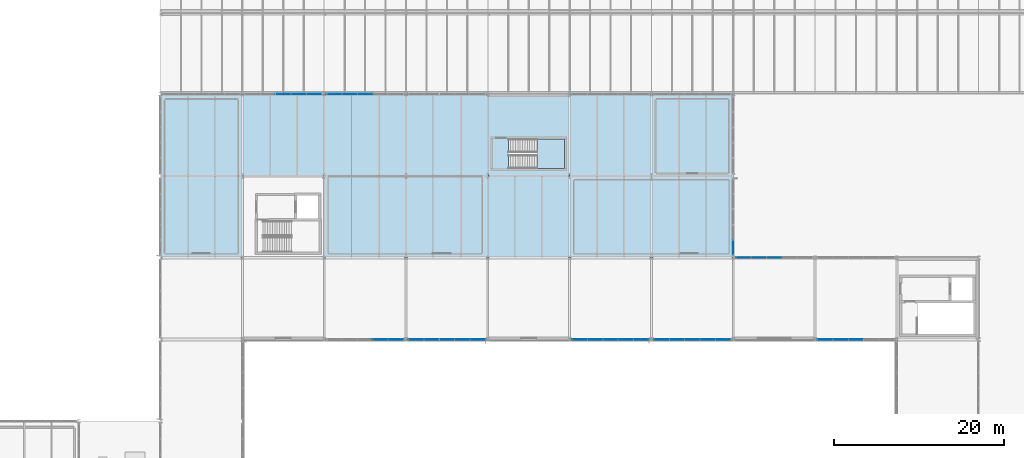
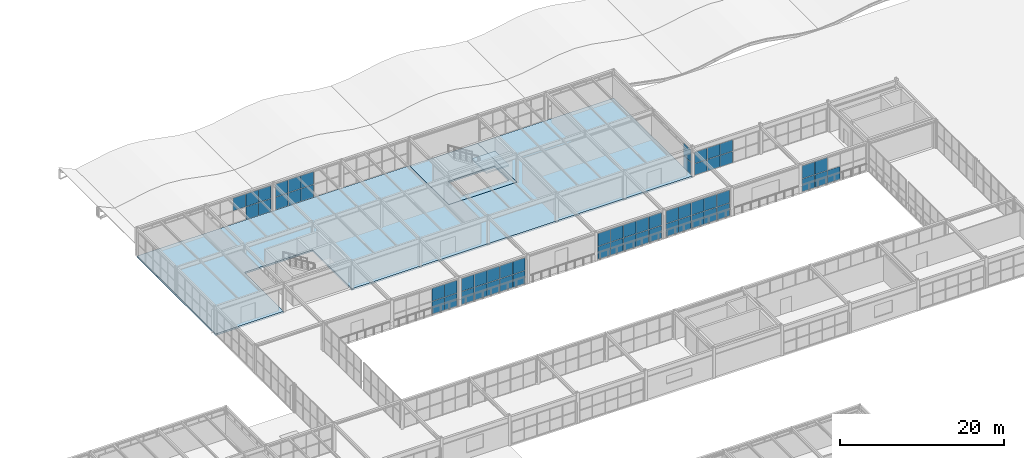
# One storey, part 139 of 170: 58 plates, 3 slabs, 10 elements without a shape of their own.
"""IFC4 building model written with IfcOpenShell, lengths in metres."""

from ifc_helpers import new_model, si_unit, direction, frame, origin, origin_2d, place, context, subcontext, project, spatial, polyline, rectangle, outline, extrude, material, layer, layer_set, type_object, element, aggregate, save


model = new_model("IFC4")

# Units and contexts
model_context = context("Model", 3, precision=1e-05, world=origin(), true_north=direction((0.0, 1.0)))
body_context = subcontext(model_context, "Body", "Model", "MODEL_VIEW")
ifc_project = project(units=[si_unit("LENGTHUNIT", "METRE"), si_unit("AREAUNIT", "SQUARE_METRE"), si_unit("VOLUMEUNIT", "CUBIC_METRE"), si_unit("PLANEANGLEUNIT", "RADIAN"), si_unit("MASSUNIT", "GRAM", prefix="KILO")], contexts=[model_context])

# Site, building, storey
site_placement = place(None, origin())
site = spatial("IfcSite", under=ifc_project, at=site_placement, CompositionType="ELEMENT")
building_placement = place(site_placement, origin())
building = spatial("IfcBuilding", under=site, at=building_placement, Name="Coralgate Yard Interchange", CompositionType="ELEMENT")
storey_placement = place(building_placement, frame((0.0, 0.0, 6.0)))
storey = spatial("IfcBuildingStorey", under=building, at=storey_placement, Name="L01", CompositionType="ELEMENT", Elevation=6.0)

# Curtain wall, plates
ifc_material_1 = material(Name="Anodised coastal aluminium and solar-control low-E glass", Category="aluminium")
curtain_wall_type_1 = type_object("IfcCurtainWallType", Name="CW-CW-L01-B", PredefinedType="NOTDEFINED", material=ifc_material_1)
curtain_wall_1_placement = place(storey_placement, origin())
curtain_wall_1 = element("IfcCurtainWall", 1, at=curtain_wall_1_placement, inside=storey, type_object=curtain_wall_type_1, Name="L01 unitised curtain wall CW-L01-N-05-09", PredefinedType="NOTDEFINED")
ifc_material_2 = material(Name="Solar-control double-glazed low-E glass unit", Category="glass")
ifc_layer_1 = layer(ifc_material_2, 0.031982421875)
ifc_layer_set_1 = layer_set([ifc_layer_1], Name="Solar-control double-glazed low-E glass unit")
plate_type = type_object("IfcPlateType", Name="PLT-CP-32", PredefinedType="CURTAIN_PANEL", material=ifc_layer_set_1)
plate_1_placement = place(storey_placement, frame((52.800048828125, 96.0, 1.97509765625), z_axis=(0.0, 0.0, 1.0), x_axis=(1.0, 0.0, 0.0)))
plate_1 = element("IfcPlate", 2, at=plate_1_placement, type_object=plate_type, Name="CW-L01-N-05-09 solar-control glazing panel 3-2", PredefinedType="CURTAIN_PANEL", context=body_context, shape_type="SweptSolid", body=[
    extrude(rectangle(XDim=1.75, YDim=0.031982421875, at=origin_2d()), origin(), (0.0, 0.0, 1.0), 1.89990234375),
])
plate_2_placement = place(storey_placement, frame((54.60009765625, 96.0, 0.025146484375), z_axis=(0.0, 0.0, 1.0), x_axis=(1.0, 0.0, 0.0)))
plate_2 = element("IfcPlate", 3, at=plate_2_placement, type_object=plate_type, Name="CW-L01-N-05-09 solar-control glazing panel 4-1", PredefinedType="CURTAIN_PANEL", context=body_context, shape_type="SweptSolid", body=[
    extrude(rectangle(XDim=1.75, YDim=0.031982421875, at=origin_2d()), origin(), (0.0, 0.0, 1.0), 1.89990234375),
])
plate_3_placement = place(storey_placement, frame((54.60009765625, 96.0, 1.97509765625), z_axis=(0.0, 0.0, 1.0), x_axis=(1.0, 0.0, 0.0)))
plate_3 = element("IfcPlate", 4, at=plate_3_placement, type_object=plate_type, Name="CW-L01-N-05-09 solar-control glazing panel 4-2", PredefinedType="CURTAIN_PANEL", context=body_context, shape_type="SweptSolid", body=[
    extrude(rectangle(XDim=1.75, YDim=0.031982421875, at=origin_2d()), origin(), (0.0, 0.0, 1.0), 1.89990234375),
])
plate_4_placement = place(storey_placement, frame((56.39990234375, 96.0, 0.025146484375), z_axis=(0.0, 0.0, 1.0), x_axis=(1.0, 0.0, 0.0)))
plate_4 = element("IfcPlate", 5, at=plate_4_placement, type_object=plate_type, Name="CW-L01-N-05-09 solar-control glazing panel 5-1", PredefinedType="CURTAIN_PANEL", context=body_context, shape_type="SweptSolid", body=[
    extrude(rectangle(XDim=1.75, YDim=0.031982421875, at=origin_2d()), origin(), (0.0, 0.0, 1.0), 1.89990234375),
])
plate_5_placement = place(storey_placement, frame((56.39990234375, 96.0, 1.97509765625), z_axis=(0.0, 0.0, 1.0), x_axis=(1.0, 0.0, 0.0)))
plate_5 = element("IfcPlate", 6, at=plate_5_placement, type_object=plate_type, Name="CW-L01-N-05-09 solar-control glazing panel 5-2", PredefinedType="CURTAIN_PANEL", context=body_context, shape_type="SweptSolid", body=[
    extrude(rectangle(XDim=1.75, YDim=0.031982421875, at=origin_2d()), origin(), (0.0, 0.0, 1.0), 1.89990234375),
])
aggregate(curtain_wall_1, [plate_1, plate_2, plate_3, plate_4, plate_5])

curtain_wall_type_2 = type_object("IfcCurtainWallType", Name="CW-CW-L01-A", PredefinedType="NOTDEFINED", material=ifc_material_1)
curtain_wall_2_placement = place(storey_placement, origin())
curtain_wall_2 = element("IfcCurtainWall", 7, at=curtain_wall_2_placement, inside=storey, type_object=curtain_wall_type_2, Name="L01 unitised curtain wall CW-L01-S-06-07", PredefinedType="NOTDEFINED")
plate_6_placement = place(storey_placement, frame((66.0, 67.199951171875, 0.025146484375), z_axis=(0.0, 0.0, 1.0), x_axis=(-1.0, 0.0, 0.0)))
plate_6 = element("IfcPlate", 8, at=plate_6_placement, type_object=plate_type, Name="CW-L01-S-06-07 solar-control glazing panel 1-1", PredefinedType="CURTAIN_PANEL", context=body_context, shape_type="SweptSolid", body=[
    extrude(rectangle(XDim=1.75, YDim=0.031982421875, at=origin_2d()), origin(), (0.0, 0.0, 1.0), 1.89990234375),
])
plate_7_placement = place(storey_placement, frame((66.0, 67.199951171875, 1.97509765625), z_axis=(0.0, 0.0, 1.0), x_axis=(-1.0, 0.0, 0.0)))
plate_7 = element("IfcPlate", 9, at=plate_7_placement, type_object=plate_type, Name="CW-L01-S-06-07 solar-control glazing panel 1-2", PredefinedType="CURTAIN_PANEL", context=body_context, shape_type="SweptSolid", body=[
    extrude(rectangle(XDim=1.75, YDim=0.031982421875, at=origin_2d()), origin(), (0.0, 0.0, 1.0), 1.89990234375),
])
plate_8_placement = place(storey_placement, frame((64.199951171875, 67.199951171875, 0.025146484375), z_axis=(0.0, 0.0, 1.0), x_axis=(-1.0, 0.0, 0.0)))
plate_8 = element("IfcPlate", 10, at=plate_8_placement, type_object=plate_type, Name="CW-L01-S-06-07 solar-control glazing panel 2-1", PredefinedType="CURTAIN_PANEL", context=body_context, shape_type="SweptSolid", body=[
    extrude(rectangle(XDim=1.75, YDim=0.031982421875, at=origin_2d()), origin(), (0.0, 0.0, 1.0), 1.89990234375),
])
plate_9_placement = place(storey_placement, frame((64.199951171875, 67.199951171875, 1.97509765625), z_axis=(0.0, 0.0, 1.0), x_axis=(-1.0, 0.0, 0.0)))
plate_9 = element("IfcPlate", 11, at=plate_9_placement, type_object=plate_type, Name="CW-L01-S-06-07 solar-control glazing panel 2-2", PredefinedType="CURTAIN_PANEL", context=body_context, shape_type="SweptSolid", body=[
    extrude(rectangle(XDim=1.75, YDim=0.031982421875, at=origin_2d()), origin(), (0.0, 0.0, 1.0), 1.89990234375),
])
aggregate(curtain_wall_2, [plate_6, plate_7, plate_8, plate_9])

curtain_wall_3_placement = place(storey_placement, origin())
curtain_wall_3 = element("IfcCurtainWall", 12, at=curtain_wall_3_placement, inside=storey, type_object=curtain_wall_type_1, Name="L01 unitised curtain wall CW-L01-N-06-09", PredefinedType="NOTDEFINED")
plate_10_placement = place(storey_placement, frame((58.800048828125, 96.0, 0.025146484375), z_axis=(0.0, 0.0, 1.0), x_axis=(1.0, 0.0, 0.0)))
plate_10 = element("IfcPlate", 13, at=plate_10_placement, type_object=plate_type, Name="CW-L01-N-06-09 solar-control glazing panel 1-1", PredefinedType="CURTAIN_PANEL", context=body_context, shape_type="SweptSolid", body=[
    extrude(rectangle(XDim=1.75, YDim=0.031982421875, at=origin_2d()), origin(), (0.0, 0.0, 1.0), 1.89990234375),
])
plate_11_placement = place(storey_placement, frame((58.800048828125, 96.0, 1.97509765625), z_axis=(0.0, 0.0, 1.0), x_axis=(1.0, 0.0, 0.0)))
plate_11 = element("IfcPlate", 14, at=plate_11_placement, type_object=plate_type, Name="CW-L01-N-06-09 solar-control glazing panel 1-2", PredefinedType="CURTAIN_PANEL", context=body_context, shape_type="SweptSolid", body=[
    extrude(rectangle(XDim=1.75, YDim=0.031982421875, at=origin_2d()), origin(), (0.0, 0.0, 1.0), 1.89990234375),
])
plate_12_placement = place(storey_placement, frame((60.60009765625, 96.0, 0.025146484375), z_axis=(0.0, 0.0, 1.0), x_axis=(1.0, 0.0, 0.0)))
plate_12 = element("IfcPlate", 15, at=plate_12_placement, type_object=plate_type, Name="CW-L01-N-06-09 solar-control glazing panel 2-1", PredefinedType="CURTAIN_PANEL", context=body_context, shape_type="SweptSolid", body=[
    extrude(rectangle(XDim=1.75, YDim=0.031982421875, at=origin_2d()), origin(), (0.0, 0.0, 1.0), 1.89990234375),
])
plate_13_placement = place(storey_placement, frame((60.60009765625, 96.0, 1.97509765625), z_axis=(0.0, 0.0, 1.0), x_axis=(1.0, 0.0, 0.0)))
plate_13 = element("IfcPlate", 16, at=plate_13_placement, type_object=plate_type, Name="CW-L01-N-06-09 solar-control glazing panel 2-2", PredefinedType="CURTAIN_PANEL", context=body_context, shape_type="SweptSolid", body=[
    extrude(rectangle(XDim=1.75, YDim=0.031982421875, at=origin_2d()), origin(), (0.0, 0.0, 1.0), 1.89990234375),
])
plate_14_placement = place(storey_placement, frame((62.39990234375, 96.0, 0.025146484375), z_axis=(0.0, 0.0, 1.0), x_axis=(1.0, 0.0, 0.0)))
plate_14 = element("IfcPlate", 17, at=plate_14_placement, type_object=plate_type, Name="CW-L01-N-06-09 solar-control glazing panel 3-1", PredefinedType="CURTAIN_PANEL", context=body_context, shape_type="SweptSolid", body=[
    extrude(rectangle(XDim=1.75, YDim=0.031982421875, at=origin_2d()), origin(), (0.0, 0.0, 1.0), 1.89990234375),
])
plate_15_placement = place(storey_placement, frame((62.39990234375, 96.0, 1.97509765625), z_axis=(0.0, 0.0, 1.0), x_axis=(1.0, 0.0, 0.0)))
plate_15 = element("IfcPlate", 18, at=plate_15_placement, type_object=plate_type, Name="CW-L01-N-06-09 solar-control glazing panel 3-2", PredefinedType="CURTAIN_PANEL", context=body_context, shape_type="SweptSolid", body=[
    extrude(rectangle(XDim=1.75, YDim=0.031982421875, at=origin_2d()), origin(), (0.0, 0.0, 1.0), 1.89990234375),
])
aggregate(curtain_wall_3, [plate_10, plate_11, plate_12, plate_13, plate_14, plate_15])

curtain_wall_4_placement = place(storey_placement, origin())
curtain_wall_4 = element("IfcCurtainWall", 19, at=curtain_wall_4_placement, inside=storey, type_object=curtain_wall_type_2, Name="L01 unitised curtain wall CW-L01-S-07-07", PredefinedType="NOTDEFINED")
plate_16_placement = place(storey_placement, frame((75.60009765625, 67.199951171875, 0.025146484375), z_axis=(0.0, 0.0, 1.0), x_axis=(-1.0, 0.0, 0.0)))
plate_16 = element("IfcPlate", 20, at=plate_16_placement, type_object=plate_type, Name="CW-L01-S-07-07 solar-control glazing panel 1-1", PredefinedType="CURTAIN_PANEL", context=body_context, shape_type="SweptSolid", body=[
    extrude(rectangle(XDim=1.75, YDim=0.031982421875, at=origin_2d()), origin(), (0.0, 0.0, 1.0), 1.89990234375),
])
plate_17_placement = place(storey_placement, frame((75.60009765625, 67.199951171875, 1.97509765625), z_axis=(0.0, 0.0, 1.0), x_axis=(-1.0, 0.0, 0.0)))
plate_17 = element("IfcPlate", 21, at=plate_17_placement, type_object=plate_type, Name="CW-L01-S-07-07 solar-control glazing panel 1-2", PredefinedType="CURTAIN_PANEL", context=body_context, shape_type="SweptSolid", body=[
    extrude(rectangle(XDim=1.75, YDim=0.031982421875, at=origin_2d()), origin(), (0.0, 0.0, 1.0), 1.89990234375),
])
plate_18_placement = place(storey_placement, frame((73.800048828125, 67.199951171875, 0.025146484375), z_axis=(0.0, 0.0, 1.0), x_axis=(-1.0, 0.0, 0.0)))
plate_18 = element("IfcPlate", 22, at=plate_18_placement, type_object=plate_type, Name="CW-L01-S-07-07 solar-control glazing panel 2-1", PredefinedType="CURTAIN_PANEL", context=body_context, shape_type="SweptSolid", body=[
    extrude(rectangle(XDim=1.75, YDim=0.031982421875, at=origin_2d()), origin(), (0.0, 0.0, 1.0), 1.89990234375),
])
plate_19_placement = place(storey_placement, frame((73.800048828125, 67.199951171875, 1.97509765625), z_axis=(0.0, 0.0, 1.0), x_axis=(-1.0, 0.0, 0.0)))
plate_19 = element("IfcPlate", 23, at=plate_19_placement, type_object=plate_type, Name="CW-L01-S-07-07 solar-control glazing panel 2-2", PredefinedType="CURTAIN_PANEL", context=body_context, shape_type="SweptSolid", body=[
    extrude(rectangle(XDim=1.75, YDim=0.031982421875, at=origin_2d()), origin(), (0.0, 0.0, 1.0), 1.89990234375),
])
plate_20_placement = place(storey_placement, frame((72.0, 67.199951171875, 0.025146484375), z_axis=(0.0, 0.0, 1.0), x_axis=(-1.0, 0.0, 0.0)))
plate_20 = element("IfcPlate", 24, at=plate_20_placement, type_object=plate_type, Name="CW-L01-S-07-07 solar-control glazing panel 3-1", PredefinedType="CURTAIN_PANEL", context=body_context, shape_type="SweptSolid", body=[
    extrude(rectangle(XDim=1.75, YDim=0.031982421875, at=origin_2d()), origin(), (0.0, 0.0, 1.0), 1.89990234375),
])
plate_21_placement = place(storey_placement, frame((72.0, 67.199951171875, 1.97509765625), z_axis=(0.0, 0.0, 1.0), x_axis=(-1.0, 0.0, 0.0)))
plate_21 = element("IfcPlate", 25, at=plate_21_placement, type_object=plate_type, Name="CW-L01-S-07-07 solar-control glazing panel 3-2", PredefinedType="CURTAIN_PANEL", context=body_context, shape_type="SweptSolid", body=[
    extrude(rectangle(XDim=1.75, YDim=0.031982421875, at=origin_2d()), origin(), (0.0, 0.0, 1.0), 1.89990234375),
])
plate_22_placement = place(storey_placement, frame((70.199951171875, 67.199951171875, 0.025146484375), z_axis=(0.0, 0.0, 1.0), x_axis=(-1.0, 0.0, 0.0)))
plate_22 = element("IfcPlate", 26, at=plate_22_placement, type_object=plate_type, Name="CW-L01-S-07-07 solar-control glazing panel 4-1", PredefinedType="CURTAIN_PANEL", context=body_context, shape_type="SweptSolid", body=[
    extrude(rectangle(XDim=1.75, YDim=0.031982421875, at=origin_2d()), origin(), (0.0, 0.0, 1.0), 1.89990234375),
])
plate_23_placement = place(storey_placement, frame((70.199951171875, 67.199951171875, 1.97509765625), z_axis=(0.0, 0.0, 1.0), x_axis=(-1.0, 0.0, 0.0)))
plate_23 = element("IfcPlate", 27, at=plate_23_placement, type_object=plate_type, Name="CW-L01-S-07-07 solar-control glazing panel 4-2", PredefinedType="CURTAIN_PANEL", context=body_context, shape_type="SweptSolid", body=[
    extrude(rectangle(XDim=1.75, YDim=0.031982421875, at=origin_2d()), origin(), (0.0, 0.0, 1.0), 1.89990234375),
])
plate_24_placement = place(storey_placement, frame((68.39990234375, 67.199951171875, 0.025146484375), z_axis=(0.0, 0.0, 1.0), x_axis=(-1.0, 0.0, 0.0)))
plate_24 = element("IfcPlate", 28, at=plate_24_placement, type_object=plate_type, Name="CW-L01-S-07-07 solar-control glazing panel 5-1", PredefinedType="CURTAIN_PANEL", context=body_context, shape_type="SweptSolid", body=[
    extrude(rectangle(XDim=1.75, YDim=0.031982421875, at=origin_2d()), origin(), (0.0, 0.0, 1.0), 1.89990234375),
])
plate_25_placement = place(storey_placement, frame((68.39990234375, 67.199951171875, 1.97509765625), z_axis=(0.0, 0.0, 1.0), x_axis=(-1.0, 0.0, 0.0)))
plate_25 = element("IfcPlate", 29, at=plate_25_placement, type_object=plate_type, Name="CW-L01-S-07-07 solar-control glazing panel 5-2", PredefinedType="CURTAIN_PANEL", context=body_context, shape_type="SweptSolid", body=[
    extrude(rectangle(XDim=1.75, YDim=0.031982421875, at=origin_2d()), origin(), (0.0, 0.0, 1.0), 1.89990234375),
])
aggregate(curtain_wall_4, [plate_16, plate_17, plate_18, plate_19, plate_20, plate_21, plate_22, plate_23, plate_24, plate_25])

curtain_wall_5_placement = place(storey_placement, origin())
curtain_wall_5 = element("IfcCurtainWall", 30, at=curtain_wall_5_placement, inside=storey, type_object=curtain_wall_type_2, Name="L01 unitised curtain wall CW-L01-S-09-07", PredefinedType="NOTDEFINED")
plate_26_placement = place(storey_placement, frame((94.800048828125, 67.199951171875, 0.025146484375), z_axis=(0.0, 0.0, 1.0), x_axis=(-1.0, 0.0, 0.0)))
plate_26 = element("IfcPlate", 31, at=plate_26_placement, type_object=plate_type, Name="CW-L01-S-09-07 solar-control glazing panel 1-1", PredefinedType="CURTAIN_PANEL", context=body_context, shape_type="SweptSolid", body=[
    extrude(rectangle(XDim=1.75, YDim=0.031982421875, at=origin_2d()), origin(), (0.0, 0.0, 1.0), 1.89990234375),
])
plate_27_placement = place(storey_placement, frame((94.800048828125, 67.199951171875, 1.97509765625), z_axis=(0.0, 0.0, 1.0), x_axis=(-1.0, 0.0, 0.0)))
plate_27 = element("IfcPlate", 32, at=plate_27_placement, type_object=plate_type, Name="CW-L01-S-09-07 solar-control glazing panel 1-2", PredefinedType="CURTAIN_PANEL", context=body_context, shape_type="SweptSolid", body=[
    extrude(rectangle(XDim=1.75, YDim=0.031982421875, at=origin_2d()), origin(), (0.0, 0.0, 1.0), 1.89990234375),
])
plate_28_placement = place(storey_placement, frame((93.0, 67.199951171875, 0.025146484375), z_axis=(0.0, 0.0, 1.0), x_axis=(-1.0, 0.0, 0.0)))
plate_28 = element("IfcPlate", 33, at=plate_28_placement, type_object=plate_type, Name="CW-L01-S-09-07 solar-control glazing panel 2-1", PredefinedType="CURTAIN_PANEL", context=body_context, shape_type="SweptSolid", body=[
    extrude(rectangle(XDim=1.75, YDim=0.031982421875, at=origin_2d()), origin(), (0.0, 0.0, 1.0), 1.89990234375),
])
plate_29_placement = place(storey_placement, frame((93.0, 67.199951171875, 1.97509765625), z_axis=(0.0, 0.0, 1.0), x_axis=(-1.0, 0.0, 0.0)))
plate_29 = element("IfcPlate", 34, at=plate_29_placement, type_object=plate_type, Name="CW-L01-S-09-07 solar-control glazing panel 2-2", PredefinedType="CURTAIN_PANEL", context=body_context, shape_type="SweptSolid", body=[
    extrude(rectangle(XDim=1.75, YDim=0.031982421875, at=origin_2d()), origin(), (0.0, 0.0, 1.0), 1.89990234375),
])
plate_30_placement = place(storey_placement, frame((91.199951171875, 67.199951171875, 0.025146484375), z_axis=(0.0, 0.0, 1.0), x_axis=(-1.0, 0.0, 0.0)))
plate_30 = element("IfcPlate", 35, at=plate_30_placement, type_object=plate_type, Name="CW-L01-S-09-07 solar-control glazing panel 3-1", PredefinedType="CURTAIN_PANEL", context=body_context, shape_type="SweptSolid", body=[
    extrude(rectangle(XDim=1.75, YDim=0.031982421875, at=origin_2d()), origin(), (0.0, 0.0, 1.0), 1.89990234375),
])
plate_31_placement = place(storey_placement, frame((91.199951171875, 67.199951171875, 1.97509765625), z_axis=(0.0, 0.0, 1.0), x_axis=(-1.0, 0.0, 0.0)))
plate_31 = element("IfcPlate", 36, at=plate_31_placement, type_object=plate_type, Name="CW-L01-S-09-07 solar-control glazing panel 3-2", PredefinedType="CURTAIN_PANEL", context=body_context, shape_type="SweptSolid", body=[
    extrude(rectangle(XDim=1.75, YDim=0.031982421875, at=origin_2d()), origin(), (0.0, 0.0, 1.0), 1.89990234375),
])
plate_32_placement = place(storey_placement, frame((89.39990234375, 67.199951171875, 0.025146484375), z_axis=(0.0, 0.0, 1.0), x_axis=(-1.0, 0.0, 0.0)))
plate_32 = element("IfcPlate", 37, at=plate_32_placement, type_object=plate_type, Name="CW-L01-S-09-07 solar-control glazing panel 4-1", PredefinedType="CURTAIN_PANEL", context=body_context, shape_type="SweptSolid", body=[
    extrude(rectangle(XDim=1.75, YDim=0.031982421875, at=origin_2d()), origin(), (0.0, 0.0, 1.0), 1.89990234375),
])
plate_33_placement = place(storey_placement, frame((89.39990234375, 67.199951171875, 1.97509765625), z_axis=(0.0, 0.0, 1.0), x_axis=(-1.0, 0.0, 0.0)))
plate_33 = element("IfcPlate", 38, at=plate_33_placement, type_object=plate_type, Name="CW-L01-S-09-07 solar-control glazing panel 4-2", PredefinedType="CURTAIN_PANEL", context=body_context, shape_type="SweptSolid", body=[
    extrude(rectangle(XDim=1.75, YDim=0.031982421875, at=origin_2d()), origin(), (0.0, 0.0, 1.0), 1.89990234375),
])
plate_34_placement = place(storey_placement, frame((87.60009765625, 67.199951171875, 0.025146484375), z_axis=(0.0, 0.0, 1.0), x_axis=(-1.0, 0.0, 0.0)))
plate_34 = element("IfcPlate", 39, at=plate_34_placement, type_object=plate_type, Name="CW-L01-S-09-07 solar-control glazing panel 5-1", PredefinedType="CURTAIN_PANEL", context=body_context, shape_type="SweptSolid", body=[
    extrude(rectangle(XDim=1.75, YDim=0.031982421875, at=origin_2d()), origin(), (0.0, 0.0, 1.0), 1.89990234375),
])
plate_35_placement = place(storey_placement, frame((87.60009765625, 67.199951171875, 1.97509765625), z_axis=(0.0, 0.0, 1.0), x_axis=(-1.0, 0.0, 0.0)))
plate_35 = element("IfcPlate", 40, at=plate_35_placement, type_object=plate_type, Name="CW-L01-S-09-07 solar-control glazing panel 5-2", PredefinedType="CURTAIN_PANEL", context=body_context, shape_type="SweptSolid", body=[
    extrude(rectangle(XDim=1.75, YDim=0.031982421875, at=origin_2d()), origin(), (0.0, 0.0, 1.0), 1.89990234375),
])
aggregate(curtain_wall_5, [plate_26, plate_27, plate_28, plate_29, plate_30, plate_31, plate_32, plate_33, plate_34, plate_35])

curtain_wall_6_placement = place(storey_placement, origin())
curtain_wall_6 = element("IfcCurtainWall", 41, at=curtain_wall_6_placement, inside=storey, type_object=curtain_wall_type_2, Name="L01 unitised curtain wall CW-L01-S-10-07", PredefinedType="NOTDEFINED")
plate_36_placement = place(storey_placement, frame((104.39990234375, 67.199951171875, 0.025146484375), z_axis=(0.0, 0.0, 1.0), x_axis=(-1.0, 0.0, 0.0)))
plate_36 = element("IfcPlate", 42, at=plate_36_placement, type_object=plate_type, Name="CW-L01-S-10-07 solar-control glazing panel 1-1", PredefinedType="CURTAIN_PANEL", context=body_context, shape_type="SweptSolid", body=[
    extrude(rectangle(XDim=1.75, YDim=0.031982421875, at=origin_2d()), origin(), (0.0, 0.0, 1.0), 1.89990234375),
])
plate_37_placement = place(storey_placement, frame((104.39990234375, 67.199951171875, 1.97509765625), z_axis=(0.0, 0.0, 1.0), x_axis=(-1.0, 0.0, 0.0)))
plate_37 = element("IfcPlate", 43, at=plate_37_placement, type_object=plate_type, Name="CW-L01-S-10-07 solar-control glazing panel 1-2", PredefinedType="CURTAIN_PANEL", context=body_context, shape_type="SweptSolid", body=[
    extrude(rectangle(XDim=1.75, YDim=0.031982421875, at=origin_2d()), origin(), (0.0, 0.0, 1.0), 1.89990234375),
])
plate_38_placement = place(storey_placement, frame((102.60009765625, 67.199951171875, 0.025146484375), z_axis=(0.0, 0.0, 1.0), x_axis=(-1.0, 0.0, 0.0)))
plate_38 = element("IfcPlate", 44, at=plate_38_placement, type_object=plate_type, Name="CW-L01-S-10-07 solar-control glazing panel 2-1", PredefinedType="CURTAIN_PANEL", context=body_context, shape_type="SweptSolid", body=[
    extrude(rectangle(XDim=1.75, YDim=0.031982421875, at=origin_2d()), origin(), (0.0, 0.0, 1.0), 1.89990234375),
])
plate_39_placement = place(storey_placement, frame((102.60009765625, 67.199951171875, 1.97509765625), z_axis=(0.0, 0.0, 1.0), x_axis=(-1.0, 0.0, 0.0)))
plate_39 = element("IfcPlate", 45, at=plate_39_placement, type_object=plate_type, Name="CW-L01-S-10-07 solar-control glazing panel 2-2", PredefinedType="CURTAIN_PANEL", context=body_context, shape_type="SweptSolid", body=[
    extrude(rectangle(XDim=1.75, YDim=0.031982421875, at=origin_2d()), origin(), (0.0, 0.0, 1.0), 1.89990234375),
])
plate_40_placement = place(storey_placement, frame((100.800048828125, 67.199951171875, 0.025146484375), z_axis=(0.0, 0.0, 1.0), x_axis=(-1.0, 0.0, 0.0)))
plate_40 = element("IfcPlate", 46, at=plate_40_placement, type_object=plate_type, Name="CW-L01-S-10-07 solar-control glazing panel 3-1", PredefinedType="CURTAIN_PANEL", context=body_context, shape_type="SweptSolid", body=[
    extrude(rectangle(XDim=1.75, YDim=0.031982421875, at=origin_2d()), origin(), (0.0, 0.0, 1.0), 1.89990234375),
])
plate_41_placement = place(storey_placement, frame((100.800048828125, 67.199951171875, 1.97509765625), z_axis=(0.0, 0.0, 1.0), x_axis=(-1.0, 0.0, 0.0)))
plate_41 = element("IfcPlate", 47, at=plate_41_placement, type_object=plate_type, Name="CW-L01-S-10-07 solar-control glazing panel 3-2", PredefinedType="CURTAIN_PANEL", context=body_context, shape_type="SweptSolid", body=[
    extrude(rectangle(XDim=1.75, YDim=0.031982421875, at=origin_2d()), origin(), (0.0, 0.0, 1.0), 1.89990234375),
])
plate_42_placement = place(storey_placement, frame((99.0, 67.199951171875, 0.025146484375), z_axis=(0.0, 0.0, 1.0), x_axis=(-1.0, 0.0, 0.0)))
plate_42 = element("IfcPlate", 48, at=plate_42_placement, type_object=plate_type, Name="CW-L01-S-10-07 solar-control glazing panel 4-1", PredefinedType="CURTAIN_PANEL", context=body_context, shape_type="SweptSolid", body=[
    extrude(rectangle(XDim=1.75, YDim=0.031982421875, at=origin_2d()), origin(), (0.0, 0.0, 1.0), 1.89990234375),
])
plate_43_placement = place(storey_placement, frame((99.0, 67.199951171875, 1.97509765625), z_axis=(0.0, 0.0, 1.0), x_axis=(-1.0, 0.0, 0.0)))
plate_43 = element("IfcPlate", 49, at=plate_43_placement, type_object=plate_type, Name="CW-L01-S-10-07 solar-control glazing panel 4-2", PredefinedType="CURTAIN_PANEL", context=body_context, shape_type="SweptSolid", body=[
    extrude(rectangle(XDim=1.75, YDim=0.031982421875, at=origin_2d()), origin(), (0.0, 0.0, 1.0), 1.89990234375),
])
plate_44_placement = place(storey_placement, frame((97.199951171875, 67.199951171875, 0.025146484375), z_axis=(0.0, 0.0, 1.0), x_axis=(-1.0, 0.0, 0.0)))
plate_44 = element("IfcPlate", 50, at=plate_44_placement, type_object=plate_type, Name="CW-L01-S-10-07 solar-control glazing panel 5-1", PredefinedType="CURTAIN_PANEL", context=body_context, shape_type="SweptSolid", body=[
    extrude(rectangle(XDim=1.75, YDim=0.031982421875, at=origin_2d()), origin(), (0.0, 0.0, 1.0), 1.89990234375),
])
plate_45_placement = place(storey_placement, frame((97.199951171875, 67.199951171875, 1.97509765625), z_axis=(0.0, 0.0, 1.0), x_axis=(-1.0, 0.0, 0.0)))
plate_45 = element("IfcPlate", 51, at=plate_45_placement, type_object=plate_type, Name="CW-L01-S-10-07 solar-control glazing panel 5-2", PredefinedType="CURTAIN_PANEL", context=body_context, shape_type="SweptSolid", body=[
    extrude(rectangle(XDim=1.75, YDim=0.031982421875, at=origin_2d()), origin(), (0.0, 0.0, 1.0), 1.89990234375),
])
aggregate(curtain_wall_6, [plate_36, plate_37, plate_38, plate_39, plate_40, plate_41, plate_42, plate_43, plate_44, plate_45])

curtain_wall_7_placement = place(storey_placement, origin())
curtain_wall_7 = element("IfcCurtainWall", 52, at=curtain_wall_7_placement, inside=storey, type_object=curtain_wall_type_1, Name="L01 unitised curtain wall CW-L01-E-10-08", PredefinedType="NOTDEFINED")
plate_46_placement = place(storey_placement, frame((105.60009765625, 78.0, 0.02490234375), z_axis=(0.0, 0.0, 1.0), x_axis=(0.0, -1.0, 0.0)))
plate_46 = element("IfcPlate", 53, at=plate_46_placement, type_object=plate_type, Name="CW-L01-E-10-08 solar-control glazing panel 5-1", PredefinedType="CURTAIN_PANEL", context=body_context, shape_type="SweptSolid", body=[
    extrude(rectangle(XDim=1.75, YDim=0.031982421875, at=origin_2d()), origin(), (0.0, 0.0, 1.0), 1.808349609375),
])
plate_47_placement = place(storey_placement, frame((105.60009765625, 78.0, 1.88330078125), z_axis=(0.0, 0.0, 1.0), x_axis=(0.0, -1.0, 0.0)))
plate_47 = element("IfcPlate", 54, at=plate_47_placement, type_object=plate_type, Name="CW-L01-E-10-08 solar-control glazing panel 5-2", PredefinedType="CURTAIN_PANEL", context=body_context, shape_type="SweptSolid", body=[
    extrude(rectangle(XDim=1.75, YDim=0.031982421875, at=origin_2d()), origin(), (0.0, 0.0, 1.0), 1.808349609375),
])
aggregate(curtain_wall_7, [plate_46, plate_47])

curtain_wall_8_placement = place(storey_placement, origin())
curtain_wall_8 = element("IfcCurtainWall", 55, at=curtain_wall_8_placement, inside=storey, type_object=curtain_wall_type_1, Name="L01 unitised curtain wall CW-L01-N-11-07", PredefinedType="NOTDEFINED")
plate_48_placement = place(storey_placement, frame((106.800048828125, 76.800048828125, 0.025146484375), z_axis=(0.0, 0.0, 1.0), x_axis=(1.0, 0.0, 0.0)))
plate_48 = element("IfcPlate", 56, at=plate_48_placement, type_object=plate_type, Name="CW-L01-N-11-07 solar-control glazing panel 1-1", PredefinedType="CURTAIN_PANEL", context=body_context, shape_type="SweptSolid", body=[
    extrude(rectangle(XDim=1.75, YDim=0.031982421875, at=origin_2d()), origin(), (0.0, 0.0, 1.0), 1.69384765625),
])
plate_49_placement = place(storey_placement, frame((106.800048828125, 76.800048828125, 1.76904296875), z_axis=(0.0, 0.0, 1.0), x_axis=(1.0, 0.0, 0.0)))
plate_49 = element("IfcPlate", 57, at=plate_49_placement, type_object=plate_type, Name="CW-L01-N-11-07 solar-control glazing panel 1-2", PredefinedType="CURTAIN_PANEL", context=body_context, shape_type="SweptSolid", body=[
    extrude(rectangle(XDim=1.75, YDim=0.031982421875, at=origin_2d()), origin(), (0.0, 0.0, 1.0), 1.69384765625),
])
plate_50_placement = place(storey_placement, frame((108.60009765625, 76.800048828125, 0.025146484375), z_axis=(0.0, 0.0, 1.0), x_axis=(1.0, 0.0, 0.0)))
plate_50 = element("IfcPlate", 58, at=plate_50_placement, type_object=plate_type, Name="CW-L01-N-11-07 solar-control glazing panel 2-1", PredefinedType="CURTAIN_PANEL", context=body_context, shape_type="SweptSolid", body=[
    extrude(rectangle(XDim=1.75, YDim=0.031982421875, at=origin_2d()), origin(), (0.0, 0.0, 1.0), 1.69384765625),
])
plate_51_placement = place(storey_placement, frame((108.60009765625, 76.800048828125, 1.76904296875), z_axis=(0.0, 0.0, 1.0), x_axis=(1.0, 0.0, 0.0)))
plate_51 = element("IfcPlate", 59, at=plate_51_placement, type_object=plate_type, Name="CW-L01-N-11-07 solar-control glazing panel 2-2", PredefinedType="CURTAIN_PANEL", context=body_context, shape_type="SweptSolid", body=[
    extrude(rectangle(XDim=1.75, YDim=0.031982421875, at=origin_2d()), origin(), (0.0, 0.0, 1.0), 1.69384765625),
])
plate_52_placement = place(storey_placement, frame((110.39990234375, 76.800048828125, 0.025146484375), z_axis=(0.0, 0.0, 1.0), x_axis=(1.0, 0.0, 0.0)))
plate_52 = element("IfcPlate", 60, at=plate_52_placement, type_object=plate_type, Name="CW-L01-N-11-07 solar-control glazing panel 3-1", PredefinedType="CURTAIN_PANEL", context=body_context, shape_type="SweptSolid", body=[
    extrude(rectangle(XDim=1.75, YDim=0.031982421875, at=origin_2d()), origin(), (0.0, 0.0, 1.0), 1.69384765625),
])
plate_53_placement = place(storey_placement, frame((110.39990234375, 76.800048828125, 1.76904296875), z_axis=(0.0, 0.0, 1.0), x_axis=(1.0, 0.0, 0.0)))
plate_53 = element("IfcPlate", 61, at=plate_53_placement, type_object=plate_type, Name="CW-L01-N-11-07 solar-control glazing panel 3-2", PredefinedType="CURTAIN_PANEL", context=body_context, shape_type="SweptSolid", body=[
    extrude(rectangle(XDim=1.75, YDim=0.031982421875, at=origin_2d()), origin(), (0.0, 0.0, 1.0), 1.69384765625),
])
aggregate(curtain_wall_8, [plate_48, plate_49, plate_50, plate_51, plate_52, plate_53])

curtain_wall_9_placement = place(storey_placement, origin())
curtain_wall_9 = element("IfcCurtainWall", 62, at=curtain_wall_9_placement, inside=storey, type_object=curtain_wall_type_2, Name="L01 unitised curtain wall CW-L01-S-12-07", PredefinedType="NOTDEFINED")
plate_54_placement = place(storey_placement, frame((120.0, 67.199951171875, 0.025146484375), z_axis=(0.0, 0.0, 1.0), x_axis=(-1.0, 0.0, 0.0)))
plate_54 = element("IfcPlate", 63, at=plate_54_placement, type_object=plate_type, Name="CW-L01-S-12-07 solar-control glazing panel 3-1", PredefinedType="CURTAIN_PANEL", context=body_context, shape_type="SweptSolid", body=[
    extrude(rectangle(XDim=1.75, YDim=0.031982421875, at=origin_2d()), origin(), (0.0, 0.0, 1.0), 1.89990234375),
])
plate_55_placement = place(storey_placement, frame((118.199951171875, 67.199951171875, 0.025146484375), z_axis=(0.0, 0.0, 1.0), x_axis=(-1.0, 0.0, 0.0)))
plate_55 = element("IfcPlate", 64, at=plate_55_placement, type_object=plate_type, Name="CW-L01-S-12-07 solar-control glazing panel 4-1", PredefinedType="CURTAIN_PANEL", context=body_context, shape_type="SweptSolid", body=[
    extrude(rectangle(XDim=1.75, YDim=0.031982421875, at=origin_2d()), origin(), (0.0, 0.0, 1.0), 1.89990234375),
])
plate_56_placement = place(storey_placement, frame((118.199951171875, 67.199951171875, 1.97509765625), z_axis=(0.0, 0.0, 1.0), x_axis=(-1.0, 0.0, 0.0)))
plate_56 = element("IfcPlate", 65, at=plate_56_placement, type_object=plate_type, Name="CW-L01-S-12-07 solar-control glazing panel 4-2", PredefinedType="CURTAIN_PANEL", context=body_context, shape_type="SweptSolid", body=[
    extrude(rectangle(XDim=1.75, YDim=0.031982421875, at=origin_2d()), origin(), (0.0, 0.0, 1.0), 1.89990234375),
])
plate_57_placement = place(storey_placement, frame((116.39990234375, 67.199951171875, 0.025146484375), z_axis=(0.0, 0.0, 1.0), x_axis=(-1.0, 0.0, 0.0)))
plate_57 = element("IfcPlate", 66, at=plate_57_placement, type_object=plate_type, Name="CW-L01-S-12-07 solar-control glazing panel 5-1", PredefinedType="CURTAIN_PANEL", context=body_context, shape_type="SweptSolid", body=[
    extrude(rectangle(XDim=1.75, YDim=0.031982421875, at=origin_2d()), origin(), (0.0, 0.0, 1.0), 1.89990234375),
])
plate_58_placement = place(storey_placement, frame((116.39990234375, 67.199951171875, 1.97509765625), z_axis=(0.0, 0.0, 1.0), x_axis=(-1.0, 0.0, 0.0)))
plate_58 = element("IfcPlate", 67, at=plate_58_placement, type_object=plate_type, Name="CW-L01-S-12-07 solar-control glazing panel 5-2", PredefinedType="CURTAIN_PANEL", context=body_context, shape_type="SweptSolid", body=[
    extrude(rectangle(XDim=1.75, YDim=0.031982421875, at=origin_2d()), origin(), (0.0, 0.0, 1.0), 1.89990234375),
])
aggregate(curtain_wall_9, [plate_54, plate_55, plate_56, plate_57, plate_58])

# Stair, slab
ifc_material_3 = material(Name="Concrete C40/50", Category="concrete")
stair_type = type_object("IfcStairType", Name="STR-DL-158-45", PredefinedType="HALF_TURN_STAIR", material=ifc_material_3)
stair_placement = place(storey_placement, origin())
stair = element("IfcStair", 68, at=stair_placement, inside=storey, type_object=stair_type, Name="L01 Escape stair ST-09", PredefinedType="HALF_TURN_STAIR")
ifc_layer_2 = layer(ifc_material_3, 0.199951171875)
ifc_layer_set_2 = layer_set([ifc_layer_2], Name="Concrete C40/50")
slab_type_1 = type_object("IfcSlabType", Name="SLB-LND200", PredefinedType="LANDING", material=ifc_layer_set_2)
slab_1_placement = place(storey_placement, frame((0.0, 0.0, 2.050048828125)))
slab_1 = element("IfcSlab", 69, at=slab_1_placement, type_object=slab_type_1, Name="ST-09 landing 1", PredefinedType="LANDING", context=body_context, shape_type="SweptSolid", body=[
    extrude(outline(polyline([(82.56005859375, 87.260009765625), (85.800048828125, 87.260009765625), (85.800048828125, 90.7099609375), (82.56005859375, 90.7099609375), (82.56005859375, 87.260009765625)])), origin(), (0.0, 0.0, 1.0), 0.199951171875),
])
aggregate(stair, [slab_1])

# Slabs
ifc_layer_3 = layer(ifc_material_3, 0.25)
ifc_layer_set_3 = layer_set([ifc_layer_3], Name="Concrete C40/50")
slab_type_2 = type_object("IfcSlabType", Name="SLB-SL-FLR250", PredefinedType="FLOOR", material=ifc_layer_set_3)
slab_2_placement = place(storey_placement, frame((0.0, 0.0, -0.25)))
element("IfcSlab", 70, at=slab_2_placement, inside=storey, type_object=slab_type_2, Name="L01 core C9 structural floor slab", PredefinedType="FLOOR", context=body_context, shape_type="SweptSolid", body=[
    extrude(outline(polyline([(76.800048828125, 96.0), (86.39990234375, 96.0), (86.39990234375, 86.39990234375), (76.800048828125, 86.39990234375), (76.800048828125, 96.0)]), holes=[polyline([(85.800048828125, 87.260009765625), (85.800048828125, 90.7099609375), (79.219970703125, 90.7099609375), (79.219970703125, 87.260009765625), (85.800048828125, 87.260009765625)])]), origin(), (0.0, 0.0, 1.0), 0.25),
])
slab_3_placement = place(storey_placement, frame((0.0, 0.0, -0.25)))
element("IfcSlab", 71, at=slab_3_placement, inside=storey, type_object=slab_type_2, Name="L01 bus transfer lounge mezzanine slab", PredefinedType="FLOOR", context=body_context, shape_type="SweptSolid", body=[
    extrude(outline(polyline([(38.39990234375, 86.39990234375), (38.39990234375, 96.0), (48.0, 96.0), (57.60009765625, 96.0), (67.199951171875, 96.0), (76.800048828125, 96.0), (76.800048828125, 86.39990234375), (86.39990234375, 86.39990234375), (86.39990234375, 96.0), (96.0, 96.0), (105.60009765625, 96.0), (105.60009765625, 86.39990234375), (105.60009765625, 76.800048828125), (96.0, 76.800048828125), (86.39990234375, 76.800048828125), (76.800048828125, 76.800048828125), (67.199951171875, 76.800048828125), (57.60009765625, 76.800048828125), (57.60009765625, 86.39990234375), (48.0, 86.39990234375), (48.0, 76.800048828125), (38.39990234375, 76.800048828125), (38.39990234375, 86.39990234375)])), origin(), (0.0, 0.0, 1.0), 0.25),
])

save(model, "model.ifc")
